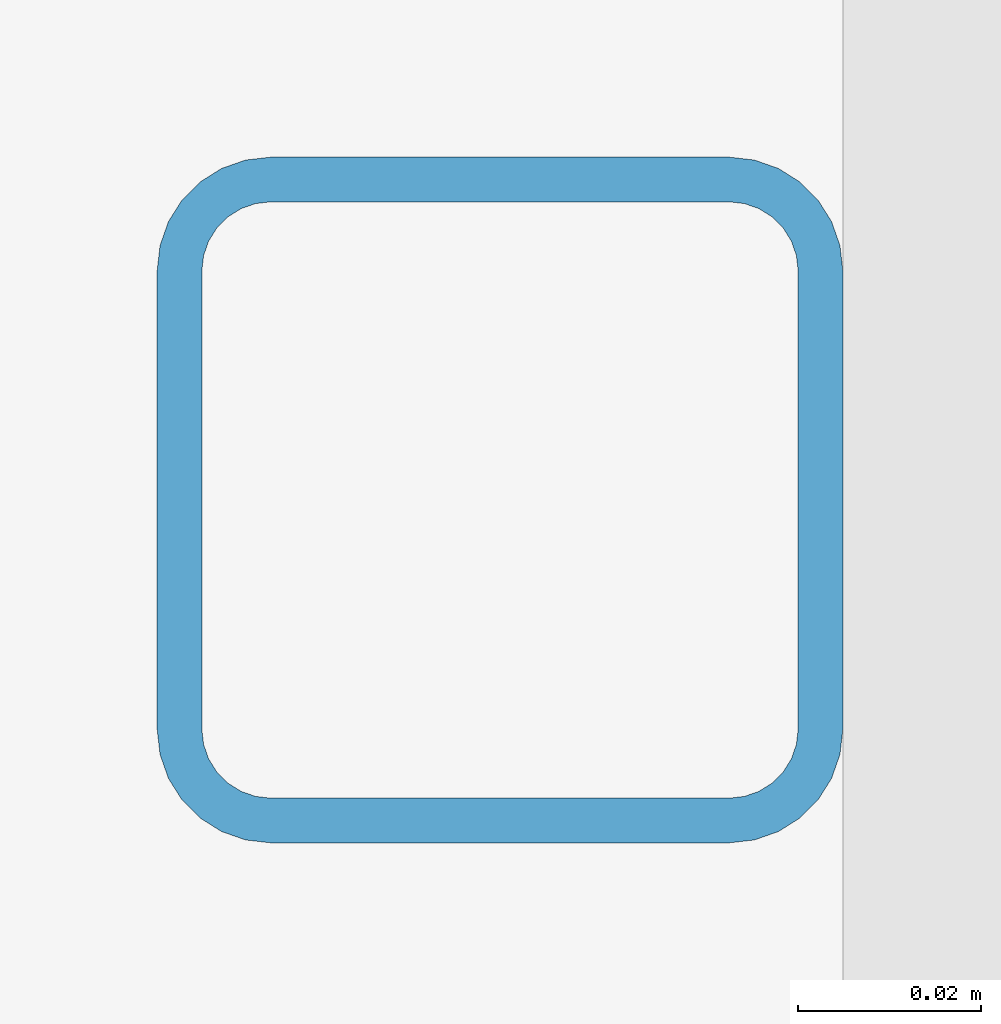
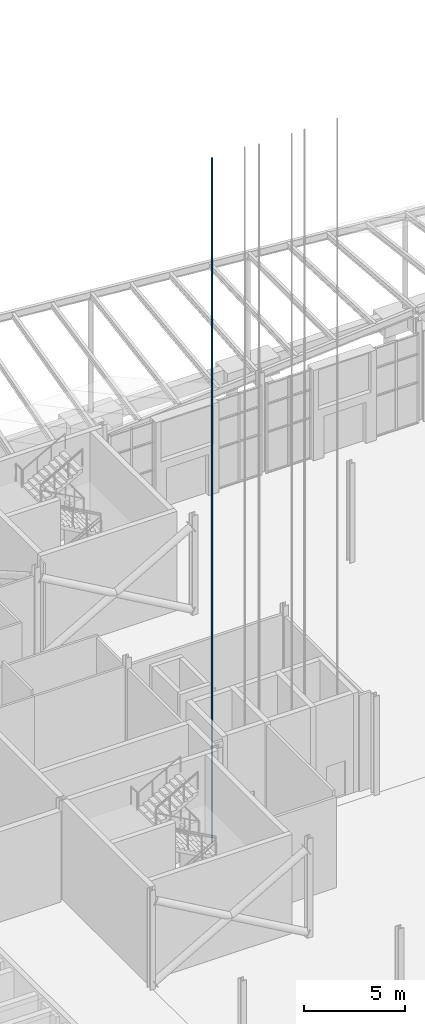
# One storey, part 55 of 139: 1 member.
"""IFC4 building model written with IfcOpenShell, lengths in metres."""

from ifc_helpers import new_model, si_unit, direction, frame, origin, origin_2d, place, context, subcontext, project, spatial, hollow_rectangle, extrude, material, material_profile, profile_set, type_object, element, save


model = new_model("IFC4")

# Units and contexts
model_context = context("Model", 3, precision=1e-05, world=origin(), true_north=direction((0.0, 1.0)))
body_context = subcontext(model_context, "Body", "Model", "MODEL_VIEW")
ifc_project = project(units=[si_unit("LENGTHUNIT", "METRE"), si_unit("AREAUNIT", "SQUARE_METRE"), si_unit("VOLUMEUNIT", "CUBIC_METRE"), si_unit("PLANEANGLEUNIT", "RADIAN"), si_unit("MASSUNIT", "GRAM", prefix="KILO")], contexts=[model_context])

# Site, building, storey
site_placement = place(None, origin())
site = spatial("IfcSite", under=ifc_project, at=site_placement, CompositionType="ELEMENT")
building_placement = place(site_placement, origin())
building = spatial("IfcBuilding", under=site, at=building_placement, Name="Shorebreak Coast Museum", CompositionType="ELEMENT")
storey_placement = place(building_placement, origin())
storey = spatial("IfcBuildingStorey", under=building, at=storey_placement, Name="L00", CompositionType="ELEMENT", Elevation=0.0)

# Member
ifc_material = material(Name="Steel Grade C450L0", Category="steel")
ifc_material_profile = material_profile(ifc_material, hollow_rectangle(XDim=0.074951171875, YDim=0.074951171875, WallThickness=0.0048828125, InnerFilletRadius=0.007568359375, OuterFilletRadius=0.012451171875, at=origin_2d()), Name="75x75x5.0 SHS")
ifc_profile_set = profile_set([ifc_material_profile], Name="Steel Grade C450L0")
member_type = type_object("IfcMemberType", Name="Lift guide rail 75x75x5.0 SHS", PredefinedType="POST", material=ifc_profile_set)
member_placement = place(storey_placement, frame((63.96240234375, 92.25, -1.5), z_axis=(0.0, 0.0, 1.0), x_axis=(1.0, 0.0, 0.0)))
element("IfcMember", 1, at=member_placement, inside=storey, type_object=member_type, Name="Firefighting Lift FL1 guide rail", PredefinedType="POST", context=body_context, shape_type="SweptSolid", body=[
    extrude(hollow_rectangle(XDim=0.074951171875, YDim=0.074951171875, WallThickness=0.0048828125, InnerFilletRadius=0.007568359375, OuterFilletRadius=0.012451171875, at=origin_2d()), origin(), (0.0, 0.0, 1.0), 41.39990234375),
])

save(model, "model.ifc")
